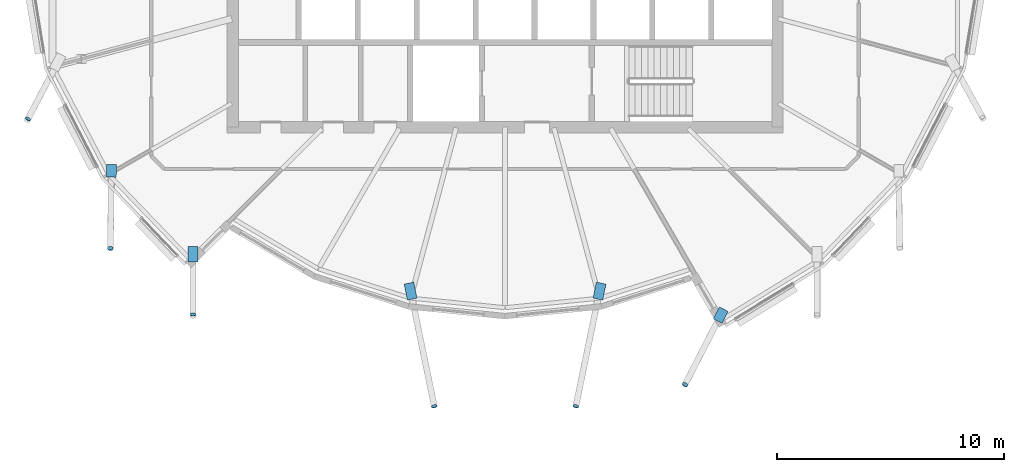
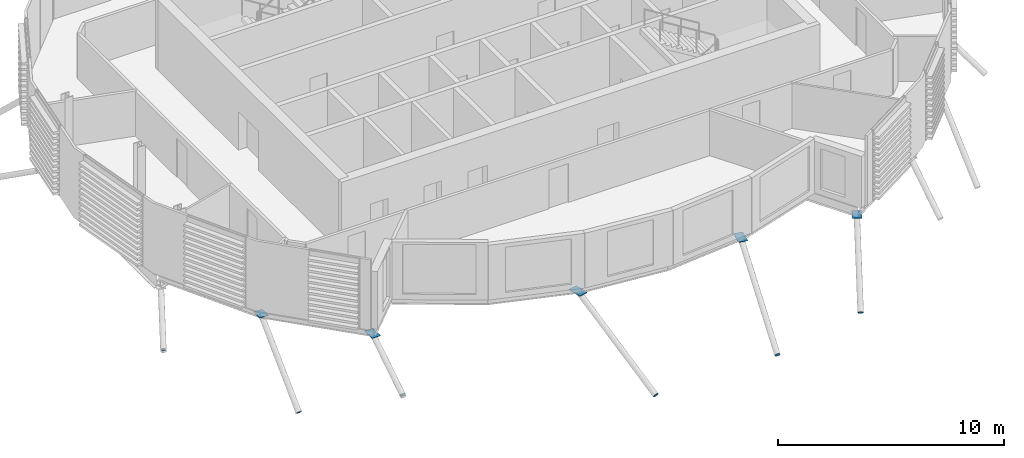
# One storey, part 24 of 38: 11 discrete accessories.
"""IFC4 building model written with IfcOpenShell, lengths in metres."""

import ifcopenshell
import ifcopenshell.guid

model = None  # the IFC model being written
_history = None  # IfcOwnerHistory: only IFC2X3 demands one
_inside = {}  # id of a spatial element -> (the spatial element, [elements in it])
_under = {}  # id of a project, library or spatial element -> (it, [spatial elements below it])
_declared = {}  # id of a project -> (the project, [libraries it declares])
_typed = {}  # id of a type object -> (the type object, [elements of that type])
_made_of = {}  # id of a material, layer set ... -> (it, [elements and type objects made of it])


def new_model(schema):
    """Start an empty IFC model of exactly this schema.

    Asked for "IFC4X3", IfcOpenShell would pick the latest addendum, in which some entities
    have other attributes; the version numbers below select the first issue.
    IFC2X3 requires an IfcOwnerHistory on every rooted entity: one is made here for all.
    """
    global model, _history
    if schema == "IFC4X3":
        model = ifcopenshell.file(schema_version=(4, 3, 0, 0))
    else:
        model = ifcopenshell.file(schema=schema)
    _inside.clear()
    _under.clear()
    _declared.clear()
    _typed.clear()
    _made_of.clear()
    _history = None
    if model.schema == "IFC2X3":
        org = make("IfcOrganization", Name="unknown")
        user = make(
            "IfcPersonAndOrganization",
            ThePerson=make("IfcPerson", FamilyName="unknown"),
            TheOrganization=org,
        )
        app = make(
            "IfcApplication",
            ApplicationDeveloper=org,
            Version="unknown",
            ApplicationFullName="unknown",
            ApplicationIdentifier="unknown",
        )
        _history = make(
            "IfcOwnerHistory",
            OwningUser=user,
            OwningApplication=app,
            ChangeAction="ADDED",
            CreationDate=0,
        )
    return model


def make(cls, **values):
    """One entity of the class cls with the attributes given. An attribute that is None is left unset."""
    return model.create_entity(
        cls, **{name: value for name, value in values.items() if value is not None}
    )


def rooted(cls, **values):
    """An entity with a GlobalId (a new one), such as an element, a storey or a relation."""
    return make(cls, GlobalId=ifcopenshell.guid.new(), OwnerHistory=_history, **values)


def si_unit(unit_type, name, prefix=None):
    """IfcSIUnit, for example si_unit("LENGTHUNIT", "METRE", prefix="MILLI")."""
    return make("IfcSIUnit", UnitType=unit_type, Prefix=prefix, Name=name)


def assignment(units):
    """IfcUnitAssignment: the units of a project."""
    return None if units is None else make("IfcUnitAssignment", Units=units)


def point(xyz):
    """IfcCartesianPoint."""
    return None if xyz is None else make("IfcCartesianPoint", Coordinates=xyz)


def direction(xyz):
    """IfcDirection."""
    return None if xyz is None else make("IfcDirection", DirectionRatios=xyz)


def frame(location, z_axis=None, x_axis=None):
    """IfcAxis2Placement3D, a coordinate frame: its origin and axes. An axis left out is left unset."""
    return make(
        "IfcAxis2Placement3D",
        Location=point(location),
        Axis=direction(z_axis),
        RefDirection=direction(x_axis),
    )


def frame_2d(location, x_axis=None):
    """IfcAxis2Placement2D, a coordinate frame in the plane: its origin and x axis."""
    return make(
        "IfcAxis2Placement2D", Location=point(location), RefDirection=direction(x_axis)
    )


def origin():
    """The frame at (0, 0, 0) with its axes left unset."""
    return frame((0.0, 0.0, 0.0))


def origin_2d():
    """The frame at (0, 0) in the plane with its x axis left unset."""
    return frame_2d((0.0, 0.0))


def place(relative_to, where):
    """IfcLocalPlacement: puts the frame where relative to a parent placement (None: the world)."""
    return make(
        "IfcLocalPlacement", PlacementRelTo=relative_to, RelativePlacement=where
    )


def context(
    kind, dimensions, precision=None, world=None, true_north=None, identifier=None
):
    """IfcGeometricRepresentationContext, for example the 3D "Model" context."""
    return make(
        "IfcGeometricRepresentationContext",
        ContextIdentifier=identifier,
        ContextType=kind,
        CoordinateSpaceDimension=dimensions,
        Precision=precision,
        WorldCoordinateSystem=world,
        TrueNorth=true_north,
    )


def subcontext(parent, identifier, kind, view, scale=None):
    """IfcGeometricRepresentationSubContext, for example "Body" below "Model"."""
    return make(
        "IfcGeometricRepresentationSubContext",
        ContextIdentifier=identifier,
        ContextType=kind,
        ParentContext=parent,
        TargetScale=scale,
        TargetView=view,
    )


def project(units=None, contexts=None):
    """IfcProject with its units and contexts."""
    return rooted(
        "IfcProject",
        Name="project",
        RepresentationContexts=contexts,
        UnitsInContext=assignment(units),
    )


def spatial(cls, under=None, at=None, **own):
    """A site, building, storey or space (cls), placed at a placement, below another one or the project."""
    s = rooted(cls, ObjectPlacement=at, **own)
    if under is not None:
        _under.setdefault(under.id(), (under, []))[1].append(s)
    return s


def polyline(points):
    """IfcPolyline through the points."""
    return make("IfcPolyline", Points=[point(p) for p in points])


def profile(cls, at=None, kind="AREA", **sizes):
    """A parametric profile (cls). Its sizes go by their IFC names, for example OverallWidth=200.0."""
    return make(cls, ProfileType=kind, Position=at, **sizes)


def rectangle(**sizes):
    """IfcRectangleProfileDef."""
    return profile("IfcRectangleProfileDef", **sizes)


def circle(**sizes):
    """IfcCircleProfileDef."""
    return profile("IfcCircleProfileDef", **sizes)


def outline(outer, holes=None, kind="AREA"):
    """IfcArbitraryClosedProfileDef: a profile drawn as a closed curve; with holes, ...WithVoids."""
    if holes is None:
        return make("IfcArbitraryClosedProfileDef", ProfileType=kind, OuterCurve=outer)
    return make(
        "IfcArbitraryProfileDefWithVoids",
        ProfileType=kind,
        OuterCurve=outer,
        InnerCurves=holes,
    )


def extrude(swept, where, along, depth):
    """IfcExtrudedAreaSolid: the profile swept, set in the frame where, extruded along a direction by depth."""
    return make(
        "IfcExtrudedAreaSolid",
        SweptArea=swept,
        Position=where,
        ExtrudedDirection=direction(along),
        Depth=depth,
    )


def shape(context_of_items, identifier, shape_type, items):
    """IfcShapeRepresentation: the items that make up one representation, for example the "Body"."""
    return make(
        "IfcShapeRepresentation",
        ContextOfItems=context_of_items,
        RepresentationIdentifier=identifier,
        RepresentationType=shape_type,
        Items=items,
    )


def material(Name=None, Category=None):
    """IfcMaterial."""
    return make("IfcMaterial", Name=Name, Category=Category)


def material_profile(
    of_material, cross_section, Name=None, Category=None, Priority=None
):
    """IfcMaterialProfile: a cross section and its material."""
    return make(
        "IfcMaterialProfile",
        Name=Name,
        Material=of_material,
        Profile=cross_section,
        Priority=Priority,
        Category=Category,
    )


def profile_set(profiles, Name=None, composite=None):
    """IfcMaterialProfileSet."""
    return make(
        "IfcMaterialProfileSet",
        Name=Name,
        MaterialProfiles=profiles,
        CompositeProfile=composite,
    )


def made_of(thing, what):
    """Note that an element or type object is made of a material, layer set ...; save() writes the relation."""
    if what is not None:
        _made_of.setdefault(what.id(), (what, []))[1].append(thing)
    return thing


def type_object(cls, material=None, **own):
    """A type object (cls), such as IfcWallType, which elements share."""
    return made_of(rooted(cls, **own), material)


def element(
    cls,
    number,
    at=None,
    inside=None,
    cuts=None,
    type_object=None,
    material=None,
    context=None,
    identifier="Body",
    shape_type=None,
    held_by="IfcProductDefinitionShape",
    body=None,
    shapes=None,
    **own,
):
    """One element of the class cls, such as IfcWall. Its Tag is "e" and its number.

    at: its placement. inside: the storey or other place that contains it. cuts: it is an
    opening in that element (IfcRelVoidsElement). A single representation is given by context,
    identifier, shape_type and body (its items); several are given by shapes. held_by: the class
    of the entity that holds the representations. save() writes the other relations.
    """
    e = rooted(cls, Tag="e%d" % number, ObjectPlacement=at, **own)
    if body is not None:
        shapes = [shape(context, identifier, shape_type, body)]
    if shapes is not None:
        e.Representation = make(held_by, Representations=shapes)
    if inside is not None:
        _inside.setdefault(inside.id(), (inside, []))[1].append(e)
    if cuts is not None:
        rooted(
            "IfcRelVoidsElement", RelatingBuildingElement=cuts, RelatedOpeningElement=e
        )
    if type_object is not None:
        _typed.setdefault(type_object.id(), (type_object, []))[1].append(e)
    return made_of(e, material)


def aggregate(whole, parts):
    """IfcRelAggregates: a whole, such as a stair, and the parts it consists of."""
    return rooted("IfcRelAggregates", RelatingObject=whole, RelatedObjects=parts)


def save(model, path):
    """Write the relations noted so far, then the file.

    IfcRelAggregates (storeys below a building ...), IfcRelContainedInSpatialStructure (elements
    in a storey), IfcRelDefinesByType, IfcRelAssociatesMaterial and IfcRelDeclares: one each for
    every whole, place, type object, material and project.
    """
    for whole, parts in _under.values():
        aggregate(whole, parts)
    for where, things in _inside.values():
        rooted(
            "IfcRelContainedInSpatialStructure",
            RelatedElements=things,
            RelatingStructure=where,
        )
    for kind, things in _typed.values():
        rooted("IfcRelDefinesByType", RelatedObjects=things, RelatingType=kind)
    for what, things in _made_of.values():
        rooted("IfcRelAssociatesMaterial", RelatedObjects=things, RelatingMaterial=what)
    for by, libraries in _declared.values():
        rooted("IfcRelDeclares", RelatingContext=by, RelatedDefinitions=libraries)
    model.write(path)


model = new_model("IFC4")

# Units and contexts
model_context = context("Model", 3, precision=1e-05, world=origin(), true_north=direction((0.0, 1.0)))
body_context = subcontext(model_context, "Body", "Model", "MODEL_VIEW")
ifc_project = project(units=[si_unit("LENGTHUNIT", "METRE"), si_unit("AREAUNIT", "SQUARE_METRE"), si_unit("VOLUMEUNIT", "CUBIC_METRE"), si_unit("PLANEANGLEUNIT", "RADIAN"), si_unit("MASSUNIT", "GRAM", prefix="KILO")], contexts=[model_context])

# Site, building, storey
site_placement = place(None, origin())
site = spatial("IfcSite", under=ifc_project, at=site_placement, CompositionType="ELEMENT")
building_placement = place(site_placement, origin())
building = spatial("IfcBuilding", under=site, at=building_placement, Name="Rimbun Link Towers", CompositionType="ELEMENT")
storey_placement = place(building_placement, frame((0.0, 0.0, 218.10009765625)))
storey = spatial("IfcBuildingStorey", under=building, at=storey_placement, Name="L53", CompositionType="ELEMENT", Elevation=218.10009765625)

# Discrete accessories
ifc_material_1 = material(Name="Steel S355J2H", Category="steel")
ifc_material_profile_1 = material_profile(ifc_material_1, circle(Radius=0.1240234375, at=origin_2d()), Name="PL D248")
ifc_profile_set_1 = profile_set([ifc_material_profile_1], Name="Steel S355J2H")
discrete_accessory_type_1 = type_object("IfcDiscreteAccessoryType", Name="Link foot sealing plate D248X20", PredefinedType="BRACKET", material=ifc_profile_set_1)
discrete_accessory_1_placement = place(storey_placement, frame((-52.76025390625, -7.63037109375, -2.53759765625), z_axis=(-0.413131566007, -0.777659418366, -0.473886208067), x_axis=(0.883115719457, -0.469155225962, 0.0)))
element("IfcDiscreteAccessory", 1, at=discrete_accessory_1_placement, inside=storey, type_object=discrete_accessory_type_1, Name="Link foot sealing plate T1 L53 13", PredefinedType="BRACKET", context=body_context, shape_type="SweptSolid", body=[
    extrude(circle(Radius=0.1240234375, at=origin_2d()), origin(), (0.0, 0.0, 1.0), 0.02001953125),
])
discrete_accessory_2_placement = place(storey_placement, frame((-49.131591796875, -13.33642578125, -3.745849609375), z_axis=(-0.012082441867, -0.724946511996, -0.688699186396), x_axis=(0.99986114004, -0.016664352334, 0.0)))
element("IfcDiscreteAccessory", 2, at=discrete_accessory_2_placement, inside=storey, type_object=discrete_accessory_type_1, Name="Link foot sealing plate T1 L53 14", PredefinedType="BRACKET", context=body_context, shape_type="SweptSolid", body=[
    extrude(circle(Radius=0.1240234375, at=origin_2d()), origin(), (0.0, 0.0, 1.0), 0.020263671875),
])
for number, where, z_axis, x_axis, name in (
    (3, (-45.49658203125, -16.245849609375, -2.30322265625), (0.0, -0.8431579539, -0.537665941617), (1.0, 0.0, 0.0), "Link foot sealing plate T1 L53 15"),
    (4, (-34.868896484375, -20.28466796875, -3.598388671875), (0.171088300858, -0.855441504291, -0.488823716738), (0.980580675691, 0.196116135138, 0.0), "Link foot sealing plate T1 L53 17"),
    (5, (-28.631103515625, -20.28466796875, -3.598388671875), (-0.171088300858, -0.855441504291, -0.488823716738), (0.980580675691, -0.196116135138, 0.0), "Link foot sealing plate T1 L53 19"),
    (6, (-23.81982421875, -19.33349609375, -3.56298828125), (-0.351831910518, -0.691531686191, -0.630871011963), (0.891278030761, -0.453457243721, 0.0), "Link foot sealing plate T1 L53 20"),
):
    element("IfcDiscreteAccessory", number, at=place(storey_placement, frame(where, z_axis=z_axis, x_axis=x_axis)), inside=storey, type_object=discrete_accessory_type_1, Name=name, PredefinedType="BRACKET", context=body_context, shape_type="SweptSolid", body=[
        extrude(circle(Radius=0.1240234375, at=origin_2d()), origin(), (0.0, 0.0, 1.0), 0.02001953125),
    ])
ifc_material_2 = material(Name="Steel S355J2H", Category="steel")
ifc_material_profile_2 = material_profile(ifc_material_2, rectangle(XDim=0.43310546875, YDim=0.43310546875, at=origin_2d()), Name="PL 433x433")
ifc_profile_set_2 = profile_set([ifc_material_profile_2], Name="Steel S355J2H")
discrete_accessory_type_2 = type_object("IfcDiscreteAccessoryType", Name="Link head end plate 433X20", PredefinedType="BRACKET", material=ifc_profile_set_2)
discrete_accessory_3_placement = place(storey_placement, frame((0.0, 0.0, -0.51513671875)))
element("IfcDiscreteAccessory", 7, at=discrete_accessory_3_placement, inside=storey, type_object=discrete_accessory_type_2, Name="Link head end plate T1 L53 14", PredefinedType="BRACKET", context=body_context, shape_type="SweptSolid", body=[
    extrude(outline(polyline([(-49.302490234375, -9.646240234375), (-49.309326171875, -10.203125), (-48.876220703125, -10.20849609375), (-48.869384765625, -9.651611328125), (-49.302490234375, -9.646240234375)])), origin(), (0.0, 0.0, 1.0), 0.02001953125),
])
discrete_accessory_4_placement = place(storey_placement, frame((0.0, 0.0, -0.613525390625)))
element("IfcDiscreteAccessory", 8, at=discrete_accessory_4_placement, inside=storey, type_object=discrete_accessory_type_2, Name="Link head end plate T1 L53 15", PredefinedType="BRACKET", context=body_context, shape_type="SweptSolid", body=[
    extrude(outline(polyline([(-45.7119140625, -13.2626953125), (-45.712158203125, -13.930419921875), (-45.279296875, -13.9306640625), (-45.279052734375, -13.262939453125), (-45.7119140625, -13.2626953125)])), origin(), (0.0, 0.0, 1.0), 0.02001953125),
])
discrete_accessory_5_placement = place(storey_placement, frame((0.0, 0.0, -0.693115234375)))
element("IfcDiscreteAccessory", 9, at=discrete_accessory_5_placement, inside=storey, type_object=discrete_accessory_type_2, Name="Link head end plate T1 L53 17", PredefinedType="BRACKET", context=body_context, shape_type="SweptSolid", body=[
    extrude(outline(polyline([(-36.195556640625, -14.914794921875), (-36.051025390625, -15.6171875), (-35.626953125, -15.52978515625), (-35.771484375, -14.827392578125), (-36.195556640625, -14.914794921875)])), origin(), (0.0, 0.0, 1.0), 0.02001953125),
])
discrete_accessory_6_placement = place(storey_placement, frame((0.0, 0.0, -0.693115234375)))
element("IfcDiscreteAccessory", 10, at=discrete_accessory_6_placement, inside=storey, type_object=discrete_accessory_type_2, Name="Link head end plate T1 L53 19", PredefinedType="BRACKET", context=body_context, shape_type="SweptSolid", body=[
    extrude(outline(polyline([(-27.728515625, -14.827392578125), (-27.873046875, -15.52978515625), (-27.448974609375, -15.6171875), (-27.304443359375, -14.914794921875), (-27.728515625, -14.827392578125)])), origin(), (0.0, 0.0, 1.0), 0.02001953125),
])
discrete_accessory_7_placement = place(storey_placement, frame((0.0, 0.0, -0.693115234375)))
element("IfcDiscreteAccessory", 11, at=discrete_accessory_7_placement, inside=storey, type_object=discrete_accessory_type_2, Name="Link head end plate T1 L53 20", PredefinedType="BRACKET", context=body_context, shape_type="SweptSolid", body=[
    extrude(outline(polyline([(-22.31005859375, -15.92138671875), (-22.577880859375, -16.442138671875), (-22.192626953125, -16.64013671875), (-21.925048828125, -16.119140625), (-22.31005859375, -15.92138671875)])), origin(), (0.0, 0.0, 1.0), 0.02001953125),
])

save(model, "model.ifc")
